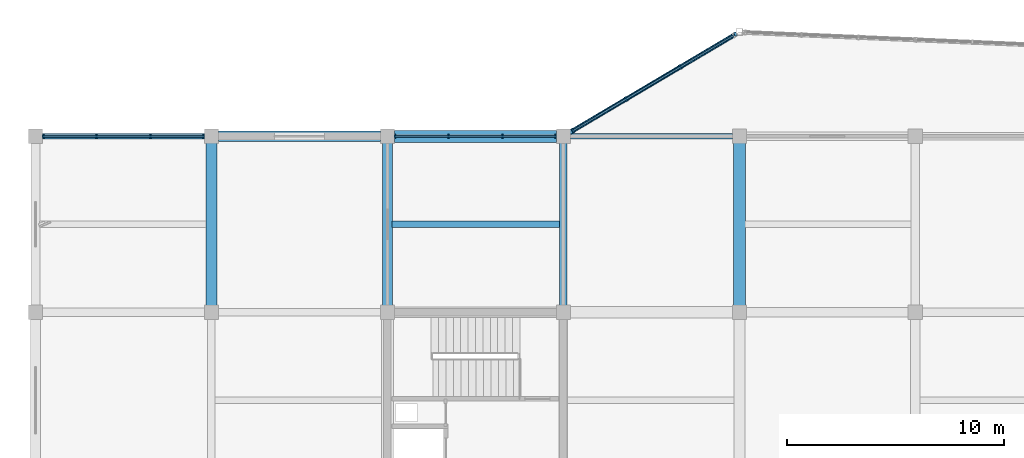
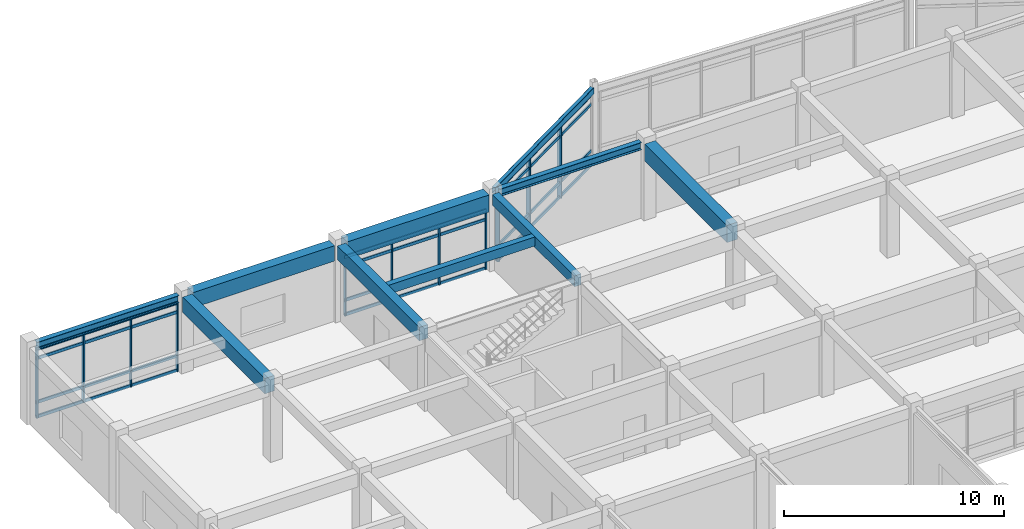
# One storey, part 43 of 93: 23 members, 10 beams, 3 elements without a shape of their own.
"""IFC4 building model written with IfcOpenShell, lengths in metres."""

from ifc_helpers import new_model, si_unit, direction, frame, origin, origin_2d, place, context, subcontext, project, spatial, rectangle, hollow_rectangle, i_section, extrude, material, layer, layer_set, material_profile, profile_set, type_object, element, aggregate, save


model = new_model("IFC4")

# Units and contexts
model_context = context("Model", 3, precision=1e-05, world=origin(), true_north=direction((0.0, 1.0)))
body_context = subcontext(model_context, "Body", "Model", "MODEL_VIEW")
ifc_project = project(units=[si_unit("LENGTHUNIT", "METRE"), si_unit("AREAUNIT", "SQUARE_METRE"), si_unit("VOLUMEUNIT", "CUBIC_METRE"), si_unit("PLANEANGLEUNIT", "RADIAN"), si_unit("MASSUNIT", "GRAM", prefix="KILO")], contexts=[model_context])

# Site, building, storey
site_placement = place(None, origin())
site = spatial("IfcSite", under=ifc_project, at=site_placement, CompositionType="ELEMENT")
building_placement = place(site_placement, origin())
building = spatial("IfcBuilding", under=site, at=building_placement, Name="Vaudrelin Polytechnic", CompositionType="ELEMENT")
storey_placement = place(building_placement, frame((0.0, 0.0, 5.10009765625)))
storey = spatial("IfcBuildingStorey", under=building, at=storey_placement, Name="L01", CompositionType="ELEMENT", Elevation=5.10009765625)

# Beams
ifc_material_1 = material(Name="Concrete 40 MPa", Category="concrete")
ifc_material_profile_1 = material_profile(ifc_material_1, rectangle(XDim=0.35009765625, YDim=0.60009765625, at=origin_2d()), Name="RC350x600")
ifc_profile_set_1 = profile_set([ifc_material_profile_1], Name="Concrete 40 MPa")
beam_type_1 = type_object("IfcBeamType", Name="BM-BM-RC3560", PredefinedType="BEAM", material=ifc_profile_set_1)
beam_1_placement = place(storey_placement, frame((24.300048828125, 113.7099609375, 3.949951171875), z_axis=(0.0, 1.0, 0.0), x_axis=(-1.0, 0.0, 0.0)))
element("IfcBeam", 1, at=beam_1_placement, inside=storey, type_object=beam_type_1, Name="L01 Y-beam 4-15", PredefinedType="BEAM", context=body_context, shape_type="SweptSolid", body=[
    extrude(rectangle(XDim=0.35009765625, YDim=0.60009765625, at=origin_2d()), origin(), (0.0, 0.0, 1.0), 7.47998046875),
])
ifc_material_profile_2 = material_profile(ifc_material_1, rectangle(XDim=0.449951171875, YDim=0.75, at=origin_2d()), Name="RC450x750")
ifc_profile_set_2 = profile_set([ifc_material_profile_2], Name="Concrete 40 MPa")
beam_type_2 = type_object("IfcBeamType", Name="BM-BM-RC4575", PredefinedType="BEAM", material=ifc_profile_set_2)
beam_2_placement = place(storey_placement, frame((16.199951171875, 113.7099609375, 3.875), z_axis=(0.0, 1.0, 0.0), x_axis=(-1.0, 0.0, 0.0)))
element("IfcBeam", 2, at=beam_2_placement, inside=storey, type_object=beam_type_2, Name="L01 Y-beam 3-15", PredefinedType="BEAM", context=body_context, shape_type="SweptSolid", body=[
    extrude(rectangle(XDim=0.449951171875, YDim=0.75, at=origin_2d()), origin(), (0.0, 0.0, 1.0), 7.47998046875),
])
ifc_material_profile_3 = material_profile(ifc_material_1, rectangle(XDim=0.5, YDim=0.85009765625, at=origin_2d()), Name="RC500x850")
ifc_profile_set_3 = profile_set([ifc_material_profile_3], Name="Concrete 40 MPa")
beam_type_3 = type_object("IfcBeamType", Name="BM-BM-RC5085", PredefinedType="BEAM", material=ifc_profile_set_3)
beam_3_placement = place(storey_placement, frame((8.10009765625, 113.7099609375, 3.824951171875), z_axis=(0.0, 1.0, 0.0), x_axis=(-1.0, 0.0, 0.0)))
element("IfcBeam", 3, at=beam_3_placement, inside=storey, type_object=beam_type_3, Name="L01 Y-beam 2-15", PredefinedType="BEAM", context=body_context, shape_type="SweptSolid", body=[
    extrude(rectangle(XDim=0.5, YDim=0.85009765625, at=origin_2d()), origin(), (0.0, 0.0, 1.0), 7.47998046875),
])
beam_4_placement = place(storey_placement, frame((8.4208984375, 121.5, 3.824951171875), z_axis=(1.0, 0.0, 0.0), x_axis=(0.0, 1.0, 0.0)))
element("IfcBeam", 4, at=beam_4_placement, inside=storey, type_object=beam_type_3, Name="L01 X-beam 2-16", PredefinedType="BEAM", context=body_context, shape_type="SweptSolid", body=[
    extrude(rectangle(XDim=0.5, YDim=0.85009765625, at=origin_2d()), origin(), (0.0, 0.0, 1.0), 7.4580078125),
])
ifc_material_2 = material(Name="Concrete 50 MPa", Category="concrete")
ifc_material_profile_4 = material_profile(ifc_material_2, rectangle(XDim=0.550048828125, YDim=0.949951171875, at=origin_2d()), Name="RC550x950")
ifc_profile_set_4 = profile_set([ifc_material_profile_4], Name="Concrete 50 MPa")
beam_type_4 = type_object("IfcBeamType", Name="BM-BM-RC5595", PredefinedType="BEAM", material=ifc_profile_set_4)
beam_5_placement = place(storey_placement, frame((32.39990234375, 113.7099609375, 3.77490234375), z_axis=(0.0, 1.0, 0.0), x_axis=(-1.0, 0.0, 0.0)))
element("IfcBeam", 5, at=beam_5_placement, inside=storey, type_object=beam_type_4, Name="L01 Y-beam 5-15", PredefinedType="BEAM", context=body_context, shape_type="SweptSolid", body=[
    extrude(rectangle(XDim=0.550048828125, YDim=0.949951171875, at=origin_2d()), origin(), (0.0, 0.0, 1.0), 7.47998046875),
])
beam_6_placement = place(storey_placement, frame((16.52099609375, 121.5, 3.77490234375), z_axis=(1.0, 0.0, 0.0), x_axis=(0.0, 1.0, 0.0)))
element("IfcBeam", 6, at=beam_6_placement, inside=storey, type_object=beam_type_4, Name="L01 X-beam 3-16", PredefinedType="BEAM", context=body_context, shape_type="SweptSolid", body=[
    extrude(rectangle(XDim=0.550048828125, YDim=0.949951171875, at=origin_2d()), origin(), (0.0, 0.0, 1.0), 7.4580078125),
])
ifc_material_3 = material(Name="Steel CSA G40.21 350WT", Category="steel")
ifc_material_profile_5 = material_profile(ifc_material_3, i_section(OverallWidth=0.260009765625, OverallDepth=0.4150390625, WebThickness=0.010009765625, FlangeThickness=0.016845703125, FilletRadius=0.01611328125, at=origin_2d()), Name="W410x100")
ifc_profile_set_5 = profile_set([ifc_material_profile_5], Name="Steel CSA G40.21 350WT")
beam_type_5 = type_object("IfcBeamType", Name="BM-BM-W410H", PredefinedType="SPANDREL", material=ifc_profile_set_5)
for number, where, z_axis, x_axis, name in (
    (7, (0.321044921875, 121.5, 4.04248046875), (1.0, 0.0, 0.0), (0.0, 1.0, 0.0), "L01 X-beam 1-16"),
    (8, (24.62109375, 121.5, 4.04248046875), (1.0, 0.0, 0.0), (0.0, 1.0, 0.0), "L01 X-beam 4-16"),
):
    element("IfcBeam", number, at=place(storey_placement, frame(where, z_axis=z_axis, x_axis=x_axis)), inside=storey, type_object=beam_type_5, Name=name, PredefinedType="SPANDREL", context=body_context, shape_type="SweptSolid", body=[
        extrude(i_section(OverallWidth=0.260009765625, OverallDepth=0.4150390625, WebThickness=0.010009765625, FlangeThickness=0.016845703125, FilletRadius=0.01611328125, at=origin_2d()), origin(), (0.0, 0.0, 1.0), 7.4580078125),
    ])
ifc_material_profile_6 = material_profile(ifc_material_1, rectangle(XDim=0.300048828125, YDim=0.5, at=origin_2d()), Name="RC300x500")
ifc_profile_set_6 = profile_set([ifc_material_profile_6], Name="Concrete 40 MPa")
beam_type_6 = type_object("IfcBeamType", Name="BM-JS-RC3050", PredefinedType="JOIST", material=ifc_profile_set_6)
beam_7_placement = place(storey_placement, frame((16.4208984375, 117.449951171875, 4.0), z_axis=(1.0, 0.0, 0.0), x_axis=(0.0, 1.0, 0.0)))
element("IfcBeam", 9, at=beam_7_placement, inside=storey, type_object=beam_type_6, Name="L01 floor joist 3-15", PredefinedType="JOIST", context=body_context, shape_type="SweptSolid", body=[
    extrude(rectangle(XDim=0.300048828125, YDim=0.5, at=origin_2d()), origin(), (0.0, 0.0, 1.0), 7.7080078125),
])
ifc_material_profile_7 = material_profile(ifc_material_3, hollow_rectangle(XDim=0.202880859375, YDim=0.35595703125, WallThickness=0.0126953125, InnerFilletRadius=0.0126953125, OuterFilletRadius=0.025390625, at=origin_2d()), Name="HSS356x203x12.7")
ifc_profile_set_7 = profile_set([ifc_material_profile_7], Name="Steel CSA G40.21 350WT")
beam_type_7 = type_object("IfcBeamType", Name="BM-SP-HSS35", PredefinedType="SPANDREL", material=ifc_profile_set_7)
beam_8_placement = place(storey_placement, frame((24.42041015625, 121.5712890625, 4.1318359375), z_axis=(0.860293270053, 0.509799460083, 0.0), x_axis=(-0.509799460083, 0.860293270053, 0.0)))
element("IfcBeam", 10, at=beam_8_placement, inside=storey, type_object=beam_type_7, Name="Sculptural edge beam L01 N_OR1_B1", PredefinedType="SPANDREL", context=body_context, shape_type="SweptSolid", body=[
    extrude(hollow_rectangle(XDim=0.202880859375, YDim=0.35595703125, WallThickness=0.0126953125, InnerFilletRadius=0.0126953125, OuterFilletRadius=0.025390625, at=origin_2d()), origin(), (0.0, 0.0, 1.0), 9.135498046875),
])

# Curtain wall, members
ifc_material_4 = material(Name="Thermally broken anodised aluminium AA 6063-T6 and low-e triple glazing", Category="aluminium")
ifc_layer = layer(ifc_material_4, 0.199951171875)
ifc_layer_set = layer_set([ifc_layer], Name="Thermally broken anodised aluminium AA 6063-T6 and low-e triple glazing")
curtain_wall_type = type_object("IfcCurtainWallType", Name="CW-CW-STU", PredefinedType="USERDEFINED", material=ifc_layer_set)
curtain_wall_1_placement = place(storey_placement, origin())
curtain_wall_1 = element("IfcCurtainWall", 11, at=curtain_wall_1_placement, inside=storey, type_object=curtain_wall_type, Name="Curtain wall L01 N_V5_00", ObjectType="CURTAIN WALL", PredefinedType="USERDEFINED")
ifc_material_5 = material(Name="Anodised aluminium AA 6063-T6", Category="aluminium")
ifc_material_profile_8 = material_profile(ifc_material_5, rectangle(XDim=0.06494140625, YDim=0.179931640625, at=origin_2d()), Name="CWM-65x180")
ifc_profile_set_8 = profile_set([ifc_material_profile_8], Name="Anodised aluminium AA 6063-T6")
member_type_1 = type_object("IfcMemberType", Name="MEM-CWM-180", PredefinedType="MULLION", material=ifc_profile_set_8)
member_1_placement = place(storey_placement, frame((0.363037109375, 121.5, 0.0), z_axis=(0.0, 0.0, 1.0), x_axis=(1.0, 0.0, 0.0)))
member_1 = element("IfcMember", 12, at=member_1_placement, type_object=member_type_1, Name="N_V5_00 mullion 1", PredefinedType="MULLION", context=body_context, shape_type="SweptSolid", body=[
    extrude(rectangle(XDim=0.06494140625, YDim=0.179931640625, at=origin_2d()), origin(), (0.0, 0.0, 1.0), 3.8369140625),
])
member_2_placement = place(storey_placement, frame((2.8076171875, 121.5, 0.0), z_axis=(0.0, 0.0, 1.0), x_axis=(1.0, 0.0, 0.0)))
member_2 = element("IfcMember", 13, at=member_2_placement, type_object=member_type_1, Name="N_V5_00 mullion 2", PredefinedType="MULLION", context=body_context, shape_type="SweptSolid", body=[
    extrude(rectangle(XDim=0.06494140625, YDim=0.179931640625, at=origin_2d()), origin(), (0.0, 0.0, 1.0), 3.8369140625),
])
member_3_placement = place(storey_placement, frame((5.292236328125, 121.5, 0.0), z_axis=(0.0, 0.0, 1.0), x_axis=(1.0, 0.0, 0.0)))
member_3 = element("IfcMember", 14, at=member_3_placement, type_object=member_type_1, Name="N_V5_00 mullion 3", PredefinedType="MULLION", context=body_context, shape_type="SweptSolid", body=[
    extrude(rectangle(XDim=0.06494140625, YDim=0.179931640625, at=origin_2d()), origin(), (0.0, 0.0, 1.0), 3.8369140625),
])
member_4_placement = place(storey_placement, frame((7.737060546875, 121.5, 0.0), z_axis=(0.0, 0.0, 1.0), x_axis=(1.0, 0.0, 0.0)))
member_4 = element("IfcMember", 15, at=member_4_placement, type_object=member_type_1, Name="N_V5_00 mullion 4", PredefinedType="MULLION", context=body_context, shape_type="SweptSolid", body=[
    extrude(rectangle(XDim=0.06494140625, YDim=0.179931640625, at=origin_2d()), origin(), (0.0, 0.0, 1.0), 3.8369140625),
])

curtain_wall_2_placement = place(storey_placement, origin())
curtain_wall_2 = element("IfcCurtainWall", 16, at=curtain_wall_2_placement, inside=storey, type_object=curtain_wall_type, Name="Curtain wall L01 N_V5_02", ObjectType="CURTAIN WALL", PredefinedType="USERDEFINED")
member_5_placement = place(storey_placement, frame((16.56298828125, 121.5, 0.0), z_axis=(0.0, 0.0, 1.0), x_axis=(1.0, 0.0, 0.0)))
member_5 = element("IfcMember", 17, at=member_5_placement, type_object=member_type_1, Name="N_V5_02 mullion 1", PredefinedType="MULLION", context=body_context, shape_type="SweptSolid", body=[
    extrude(rectangle(XDim=0.06494140625, YDim=0.179931640625, at=origin_2d()), origin(), (0.0, 0.0, 1.0), 3.302001953125),
])
member_6_placement = place(storey_placement, frame((19.0078125, 121.5, 0.0), z_axis=(0.0, 0.0, 1.0), x_axis=(1.0, 0.0, 0.0)))
member_6 = element("IfcMember", 18, at=member_6_placement, type_object=member_type_1, Name="N_V5_02 mullion 2", PredefinedType="MULLION", context=body_context, shape_type="SweptSolid", body=[
    extrude(rectangle(XDim=0.06494140625, YDim=0.179931640625, at=origin_2d()), origin(), (0.0, 0.0, 1.0), 3.302001953125),
])
member_7_placement = place(storey_placement, frame((21.4921875, 121.5, 0.0), z_axis=(0.0, 0.0, 1.0), x_axis=(1.0, 0.0, 0.0)))
member_7 = element("IfcMember", 19, at=member_7_placement, type_object=member_type_1, Name="N_V5_02 mullion 3", PredefinedType="MULLION", context=body_context, shape_type="SweptSolid", body=[
    extrude(rectangle(XDim=0.06494140625, YDim=0.179931640625, at=origin_2d()), origin(), (0.0, 0.0, 1.0), 3.302001953125),
])
member_8_placement = place(storey_placement, frame((23.93701171875, 121.5, 0.0), z_axis=(0.0, 0.0, 1.0), x_axis=(1.0, 0.0, 0.0)))
member_8 = element("IfcMember", 20, at=member_8_placement, type_object=member_type_1, Name="N_V5_02 mullion 4", PredefinedType="MULLION", context=body_context, shape_type="SweptSolid", body=[
    extrude(rectangle(XDim=0.06494140625, YDim=0.179931640625, at=origin_2d()), origin(), (0.0, 0.0, 1.0), 3.302001953125),
])

curtain_wall_3_placement = place(storey_placement, origin())
curtain_wall_3 = element("IfcCurtainWall", 21, at=curtain_wall_3_placement, inside=storey, type_object=curtain_wall_type, Name="Curtain wall L01 N_OR1_1_0", ObjectType="CURTAIN WALL", PredefinedType="USERDEFINED")
ifc_material_profile_9 = material_profile(ifc_material_5, rectangle(XDim=0.074951171875, YDim=0.219970703125, at=origin_2d()), Name="CWM-75x220")
ifc_profile_set_9 = profile_set([ifc_material_profile_9], Name="Anodised aluminium AA 6063-T6")
member_type_2 = type_object("IfcMemberType", Name="MEM-CWM-220", PredefinedType="MULLION", material=ifc_profile_set_9)
member_9_placement = place(storey_placement, frame((24.732421875, 121.75634765625, 0.0), z_axis=(0.0, 0.0, 1.0), x_axis=(0.860291533635, 0.509802390301, 0.0)))
member_9 = element("IfcMember", 22, at=member_9_placement, type_object=member_type_2, Name="N_OR1_1_0 mullion 1", PredefinedType="MULLION", context=body_context, shape_type="SweptSolid", body=[
    extrude(rectangle(XDim=0.074951171875, YDim=0.219970703125, at=origin_2d()), origin(), (0.0, 0.0, 1.0), 3.97998046875),
])
member_10_placement = place(storey_placement, frame((27.190185546875, 123.212646484375, 0.0), z_axis=(0.0, 0.0, 1.0), x_axis=(0.860291533635, 0.509802390301, 0.0)))
member_10 = element("IfcMember", 23, at=member_10_placement, type_object=member_type_2, Name="N_OR1_1_0 mullion 2", PredefinedType="MULLION", context=body_context, shape_type="SweptSolid", body=[
    extrude(rectangle(XDim=0.074951171875, YDim=0.219970703125, at=origin_2d()), origin(), (0.0, 0.0, 1.0), 3.97998046875),
])
member_11_placement = place(storey_placement, frame((29.682373046875, 124.689453125, 0.0), z_axis=(0.0, 0.0, 1.0), x_axis=(0.860291533635, 0.509802390301, 0.0)))
member_11 = element("IfcMember", 24, at=member_11_placement, type_object=member_type_2, Name="N_OR1_1_0 mullion 3", PredefinedType="MULLION", context=body_context, shape_type="SweptSolid", body=[
    extrude(rectangle(XDim=0.074951171875, YDim=0.219970703125, at=origin_2d()), origin(), (0.0, 0.0, 1.0), 3.97998046875),
])

# Member
ifc_material_profile_10 = material_profile(ifc_material_5, rectangle(XDim=0.074951171875, YDim=0.1650390625, at=origin_2d()), Name="CWT-75x165")
ifc_profile_set_10 = profile_set([ifc_material_profile_10], Name="Anodised aluminium AA 6063-T6")
member_type_3 = type_object("IfcMemberType", Name="MEM-CWT-165", PredefinedType="USERDEFINED", material=ifc_profile_set_10)
member_12_placement = place(storey_placement, frame((0.322998046875, 121.5, 0.0498046875), z_axis=(1.0, 0.0, 0.0), x_axis=(0.0, 1.0, 0.0)))
member_12 = element("IfcMember", 25, at=member_12_placement, type_object=member_type_3, Name="N_V5_00 transom 1", ObjectType="TRANSOM", PredefinedType="USERDEFINED", context=body_context, shape_type="SweptSolid", body=[
    extrude(rectangle(XDim=0.074951171875, YDim=0.1650390625, at=origin_2d()), origin(), (0.0, 0.0, 1.0), 7.4541015625),
])

member_13_placement = place(storey_placement, frame((0.322998046875, 121.5, 0.849853515625), z_axis=(1.0, 0.0, 0.0), x_axis=(0.0, 1.0, 0.0)))
member_13 = element("IfcMember", 26, at=member_13_placement, type_object=member_type_3, Name="N_V5_00 transom 2", ObjectType="TRANSOM", PredefinedType="USERDEFINED", context=body_context, shape_type="SweptSolid", body=[
    extrude(rectangle(XDim=0.074951171875, YDim=0.1650390625, at=origin_2d()), origin(), (0.0, 0.0, 1.0), 7.4541015625),
])

member_14_placement = place(storey_placement, frame((0.322998046875, 121.5, 3.286865234375), z_axis=(1.0, 0.0, 0.0), x_axis=(0.0, 1.0, 0.0)))
member_14 = element("IfcMember", 27, at=member_14_placement, type_object=member_type_3, Name="N_V5_00 transom 3", ObjectType="TRANSOM", PredefinedType="USERDEFINED", context=body_context, shape_type="SweptSolid", body=[
    extrude(rectangle(XDim=0.074951171875, YDim=0.1650390625, at=origin_2d()), origin(), (0.0, 0.0, 1.0), 7.4541015625),
])

member_15_placement = place(storey_placement, frame((0.322998046875, 121.5, 3.786865234375), z_axis=(1.0, 0.0, 0.0), x_axis=(0.0, 1.0, 0.0)))
member_15 = element("IfcMember", 28, at=member_15_placement, type_object=member_type_3, Name="N_V5_00 transom 4", ObjectType="TRANSOM", PredefinedType="USERDEFINED", context=body_context, shape_type="SweptSolid", body=[
    extrude(rectangle(XDim=0.074951171875, YDim=0.1650390625, at=origin_2d()), origin(), (0.0, 0.0, 1.0), 7.4541015625),
])

aggregate(curtain_wall_1, [member_1, member_2, member_3, member_4, member_12, member_13, member_14, member_15])

member_16_placement = place(storey_placement, frame((16.52294921875, 121.5, 0.0498046875), z_axis=(1.0, 0.0, 0.0), x_axis=(0.0, 1.0, 0.0)))
member_16 = element("IfcMember", 29, at=member_16_placement, type_object=member_type_3, Name="N_V5_02 transom 1", ObjectType="TRANSOM", PredefinedType="USERDEFINED", context=body_context, shape_type="SweptSolid", body=[
    extrude(rectangle(XDim=0.074951171875, YDim=0.1650390625, at=origin_2d()), origin(), (0.0, 0.0, 1.0), 7.4541015625),
])

member_17_placement = place(storey_placement, frame((16.52294921875, 121.5, 0.849853515625), z_axis=(1.0, 0.0, 0.0), x_axis=(0.0, 1.0, 0.0)))
member_17 = element("IfcMember", 30, at=member_17_placement, type_object=member_type_3, Name="N_V5_02 transom 2", ObjectType="TRANSOM", PredefinedType="USERDEFINED", context=body_context, shape_type="SweptSolid", body=[
    extrude(rectangle(XDim=0.074951171875, YDim=0.1650390625, at=origin_2d()), origin(), (0.0, 0.0, 1.0), 7.4541015625),
])

member_18_placement = place(storey_placement, frame((16.52294921875, 121.5, 2.751953125), z_axis=(1.0, 0.0, 0.0), x_axis=(0.0, 1.0, 0.0)))
member_18 = element("IfcMember", 31, at=member_18_placement, type_object=member_type_3, Name="N_V5_02 transom 3", ObjectType="TRANSOM", PredefinedType="USERDEFINED", context=body_context, shape_type="SweptSolid", body=[
    extrude(rectangle(XDim=0.074951171875, YDim=0.1650390625, at=origin_2d()), origin(), (0.0, 0.0, 1.0), 7.4541015625),
])

member_19_placement = place(storey_placement, frame((16.52294921875, 121.5, 3.251953125), z_axis=(1.0, 0.0, 0.0), x_axis=(0.0, 1.0, 0.0)))
member_19 = element("IfcMember", 32, at=member_19_placement, type_object=member_type_3, Name="N_V5_02 transom 4", ObjectType="TRANSOM", PredefinedType="USERDEFINED", context=body_context, shape_type="SweptSolid", body=[
    extrude(rectangle(XDim=0.074951171875, YDim=0.1650390625, at=origin_2d()), origin(), (0.0, 0.0, 1.0), 7.4541015625),
])

aggregate(curtain_wall_2, [member_5, member_6, member_7, member_8, member_16, member_17, member_18, member_19])

member_20_placement = place(storey_placement, frame((24.697998046875, 121.73583984375, 0.0498046875), z_axis=(0.860291077301, 0.509803160363, 0.0), x_axis=(-0.509803160363, 0.860291077301, 0.0)))
member_20 = element("IfcMember", 33, at=member_20_placement, type_object=member_type_3, Name="N_OR1_1_0 transom 1", ObjectType="TRANSOM", PredefinedType="USERDEFINED", context=body_context, shape_type="SweptSolid", body=[
    extrude(rectangle(XDim=0.074951171875, YDim=0.1650390625, at=origin_2d()), origin(), (0.0, 0.0, 1.0), 8.6904296875),
])

member_21_placement = place(storey_placement, frame((24.697998046875, 121.73583984375, 0.849853515625), z_axis=(0.860291077301, 0.509803160363, 0.0), x_axis=(-0.509803160363, 0.860291077301, 0.0)))
member_21 = element("IfcMember", 34, at=member_21_placement, type_object=member_type_3, Name="N_OR1_1_0 transom 2", ObjectType="TRANSOM", PredefinedType="USERDEFINED", context=body_context, shape_type="SweptSolid", body=[
    extrude(rectangle(XDim=0.074951171875, YDim=0.1650390625, at=origin_2d()), origin(), (0.0, 0.0, 1.0), 8.6904296875),
])

member_22_placement = place(storey_placement, frame((24.697998046875, 121.73583984375, 3.429931640625), z_axis=(0.860291077301, 0.509803160363, 0.0), x_axis=(-0.509803160363, 0.860291077301, 0.0)))
member_22 = element("IfcMember", 35, at=member_22_placement, type_object=member_type_3, Name="N_OR1_1_0 transom 3", ObjectType="TRANSOM", PredefinedType="USERDEFINED", context=body_context, shape_type="SweptSolid", body=[
    extrude(rectangle(XDim=0.074951171875, YDim=0.1650390625, at=origin_2d()), origin(), (0.0, 0.0, 1.0), 8.6904296875),
])

member_23_placement = place(storey_placement, frame((24.697998046875, 121.73583984375, 3.929931640625), z_axis=(0.860291077301, 0.509803160363, 0.0), x_axis=(-0.509803160363, 0.860291077301, 0.0)))
member_23 = element("IfcMember", 36, at=member_23_placement, type_object=member_type_3, Name="N_OR1_1_0 transom 4", ObjectType="TRANSOM", PredefinedType="USERDEFINED", context=body_context, shape_type="SweptSolid", body=[
    extrude(rectangle(XDim=0.074951171875, YDim=0.1650390625, at=origin_2d()), origin(), (0.0, 0.0, 1.0), 8.6904296875),
])

aggregate(curtain_wall_3, [member_9, member_10, member_11, member_20, member_21, member_22, member_23])

save(model, "model.ifc")
